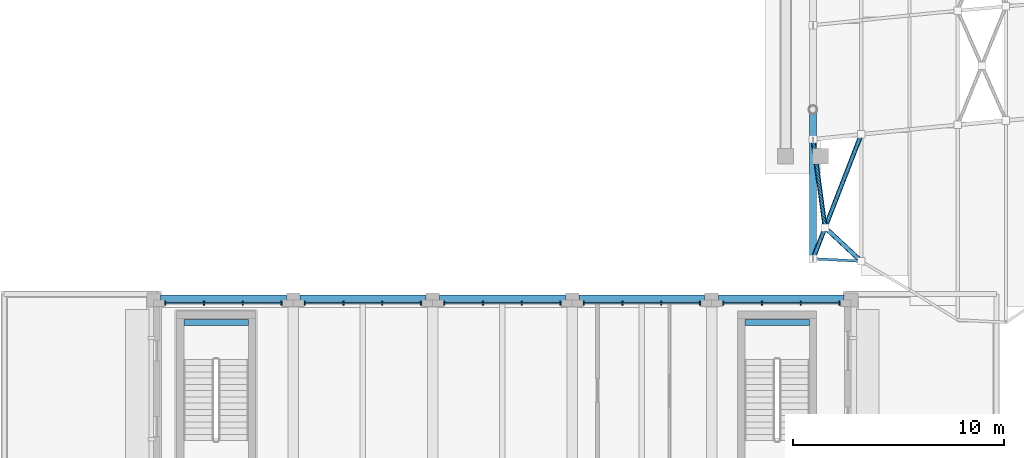
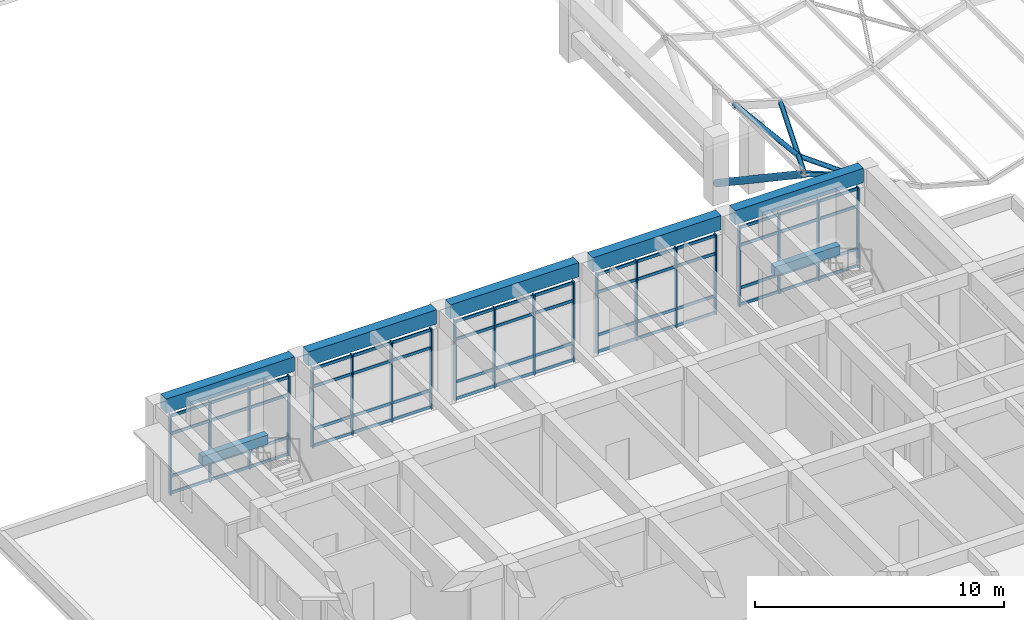
# One storey, part 9 of 79: 45 members, 7 beams, 5 elements without a shape of their own.
"""IFC4 building model written with IfcOpenShell, lengths in metres."""

import ifcopenshell
import ifcopenshell.guid

model = None  # the IFC model being written
_history = None  # IfcOwnerHistory: only IFC2X3 demands one
_inside = {}  # id of a spatial element -> (the spatial element, [elements in it])
_under = {}  # id of a project, library or spatial element -> (it, [spatial elements below it])
_declared = {}  # id of a project -> (the project, [libraries it declares])
_typed = {}  # id of a type object -> (the type object, [elements of that type])
_made_of = {}  # id of a material, layer set ... -> (it, [elements and type objects made of it])


def new_model(schema):
    """Start an empty IFC model of exactly this schema.

    Asked for "IFC4X3", IfcOpenShell would pick the latest addendum, in which some entities
    have other attributes; the version numbers below select the first issue.
    IFC2X3 requires an IfcOwnerHistory on every rooted entity: one is made here for all.
    """
    global model, _history
    if schema == "IFC4X3":
        model = ifcopenshell.file(schema_version=(4, 3, 0, 0))
    else:
        model = ifcopenshell.file(schema=schema)
    _inside.clear()
    _under.clear()
    _declared.clear()
    _typed.clear()
    _made_of.clear()
    _history = None
    if model.schema == "IFC2X3":
        org = make("IfcOrganization", Name="unknown")
        user = make(
            "IfcPersonAndOrganization",
            ThePerson=make("IfcPerson", FamilyName="unknown"),
            TheOrganization=org,
        )
        app = make(
            "IfcApplication",
            ApplicationDeveloper=org,
            Version="unknown",
            ApplicationFullName="unknown",
            ApplicationIdentifier="unknown",
        )
        _history = make(
            "IfcOwnerHistory",
            OwningUser=user,
            OwningApplication=app,
            ChangeAction="ADDED",
            CreationDate=0,
        )
    return model


def make(cls, **values):
    """One entity of the class cls with the attributes given. An attribute that is None is left unset."""
    return model.create_entity(
        cls, **{name: value for name, value in values.items() if value is not None}
    )


def rooted(cls, **values):
    """An entity with a GlobalId (a new one), such as an element, a storey or a relation."""
    return make(cls, GlobalId=ifcopenshell.guid.new(), OwnerHistory=_history, **values)


def si_unit(unit_type, name, prefix=None):
    """IfcSIUnit, for example si_unit("LENGTHUNIT", "METRE", prefix="MILLI")."""
    return make("IfcSIUnit", UnitType=unit_type, Prefix=prefix, Name=name)


def assignment(units):
    """IfcUnitAssignment: the units of a project."""
    return None if units is None else make("IfcUnitAssignment", Units=units)


def point(xyz):
    """IfcCartesianPoint."""
    return None if xyz is None else make("IfcCartesianPoint", Coordinates=xyz)


def direction(xyz):
    """IfcDirection."""
    return None if xyz is None else make("IfcDirection", DirectionRatios=xyz)


def frame(location, z_axis=None, x_axis=None):
    """IfcAxis2Placement3D, a coordinate frame: its origin and axes. An axis left out is left unset."""
    return make(
        "IfcAxis2Placement3D",
        Location=point(location),
        Axis=direction(z_axis),
        RefDirection=direction(x_axis),
    )


def frame_2d(location, x_axis=None):
    """IfcAxis2Placement2D, a coordinate frame in the plane: its origin and x axis."""
    return make(
        "IfcAxis2Placement2D", Location=point(location), RefDirection=direction(x_axis)
    )


def origin():
    """The frame at (0, 0, 0) with its axes left unset."""
    return frame((0.0, 0.0, 0.0))


def origin_2d():
    """The frame at (0, 0) in the plane with its x axis left unset."""
    return frame_2d((0.0, 0.0))


def place(relative_to, where):
    """IfcLocalPlacement: puts the frame where relative to a parent placement (None: the world)."""
    return make(
        "IfcLocalPlacement", PlacementRelTo=relative_to, RelativePlacement=where
    )


def context(
    kind, dimensions, precision=None, world=None, true_north=None, identifier=None
):
    """IfcGeometricRepresentationContext, for example the 3D "Model" context."""
    return make(
        "IfcGeometricRepresentationContext",
        ContextIdentifier=identifier,
        ContextType=kind,
        CoordinateSpaceDimension=dimensions,
        Precision=precision,
        WorldCoordinateSystem=world,
        TrueNorth=true_north,
    )


def subcontext(parent, identifier, kind, view, scale=None):
    """IfcGeometricRepresentationSubContext, for example "Body" below "Model"."""
    return make(
        "IfcGeometricRepresentationSubContext",
        ContextIdentifier=identifier,
        ContextType=kind,
        ParentContext=parent,
        TargetScale=scale,
        TargetView=view,
    )


def project(units=None, contexts=None):
    """IfcProject with its units and contexts."""
    return rooted(
        "IfcProject",
        Name="project",
        RepresentationContexts=contexts,
        UnitsInContext=assignment(units),
    )


def spatial(cls, under=None, at=None, **own):
    """A site, building, storey or space (cls), placed at a placement, below another one or the project."""
    s = rooted(cls, ObjectPlacement=at, **own)
    if under is not None:
        _under.setdefault(under.id(), (under, []))[1].append(s)
    return s


def profile(cls, at=None, kind="AREA", **sizes):
    """A parametric profile (cls). Its sizes go by their IFC names, for example OverallWidth=200.0."""
    return make(cls, ProfileType=kind, Position=at, **sizes)


def rectangle(**sizes):
    """IfcRectangleProfileDef."""
    return profile("IfcRectangleProfileDef", **sizes)


def hollow_rectangle(**sizes):
    """IfcRectangleHollowProfileDef."""
    return profile("IfcRectangleHollowProfileDef", **sizes)


def hollow_circle(**sizes):
    """IfcCircleHollowProfileDef."""
    return profile("IfcCircleHollowProfileDef", **sizes)


def extrude(swept, where, along, depth):
    """IfcExtrudedAreaSolid: the profile swept, set in the frame where, extruded along a direction by depth."""
    return make(
        "IfcExtrudedAreaSolid",
        SweptArea=swept,
        Position=where,
        ExtrudedDirection=direction(along),
        Depth=depth,
    )


def shape(context_of_items, identifier, shape_type, items):
    """IfcShapeRepresentation: the items that make up one representation, for example the "Body"."""
    return make(
        "IfcShapeRepresentation",
        ContextOfItems=context_of_items,
        RepresentationIdentifier=identifier,
        RepresentationType=shape_type,
        Items=items,
    )


def material(Name=None, Category=None):
    """IfcMaterial."""
    return make("IfcMaterial", Name=Name, Category=Category)


def layer(
    of_material, thickness, ventilated=None, Name=None, Category=None, Priority=None
):
    """IfcMaterialLayer: one layer of a wall or slab, of a material (None: an air gap)."""
    return make(
        "IfcMaterialLayer",
        Material=of_material,
        LayerThickness=thickness,
        IsVentilated=ventilated,
        Name=Name,
        Category=Category,
        Priority=Priority,
    )


def layer_set(layers, Name=None):
    """IfcMaterialLayerSet."""
    return make("IfcMaterialLayerSet", MaterialLayers=layers, LayerSetName=Name)


def material_profile(
    of_material, cross_section, Name=None, Category=None, Priority=None
):
    """IfcMaterialProfile: a cross section and its material."""
    return make(
        "IfcMaterialProfile",
        Name=Name,
        Material=of_material,
        Profile=cross_section,
        Priority=Priority,
        Category=Category,
    )


def profile_set(profiles, Name=None, composite=None):
    """IfcMaterialProfileSet."""
    return make(
        "IfcMaterialProfileSet",
        Name=Name,
        MaterialProfiles=profiles,
        CompositeProfile=composite,
    )


def made_of(thing, what):
    """Note that an element or type object is made of a material, layer set ...; save() writes the relation."""
    if what is not None:
        _made_of.setdefault(what.id(), (what, []))[1].append(thing)
    return thing


def type_object(cls, material=None, **own):
    """A type object (cls), such as IfcWallType, which elements share."""
    return made_of(rooted(cls, **own), material)


def element(
    cls,
    number,
    at=None,
    inside=None,
    cuts=None,
    type_object=None,
    material=None,
    context=None,
    identifier="Body",
    shape_type=None,
    held_by="IfcProductDefinitionShape",
    body=None,
    shapes=None,
    **own,
):
    """One element of the class cls, such as IfcWall. Its Tag is "e" and its number.

    at: its placement. inside: the storey or other place that contains it. cuts: it is an
    opening in that element (IfcRelVoidsElement). A single representation is given by context,
    identifier, shape_type and body (its items); several are given by shapes. held_by: the class
    of the entity that holds the representations. save() writes the other relations.
    """
    e = rooted(cls, Tag="e%d" % number, ObjectPlacement=at, **own)
    if body is not None:
        shapes = [shape(context, identifier, shape_type, body)]
    if shapes is not None:
        e.Representation = make(held_by, Representations=shapes)
    if inside is not None:
        _inside.setdefault(inside.id(), (inside, []))[1].append(e)
    if cuts is not None:
        rooted(
            "IfcRelVoidsElement", RelatingBuildingElement=cuts, RelatedOpeningElement=e
        )
    if type_object is not None:
        _typed.setdefault(type_object.id(), (type_object, []))[1].append(e)
    return made_of(e, material)


def aggregate(whole, parts):
    """IfcRelAggregates: a whole, such as a stair, and the parts it consists of."""
    return rooted("IfcRelAggregates", RelatingObject=whole, RelatedObjects=parts)


def save(model, path):
    """Write the relations noted so far, then the file.

    IfcRelAggregates (storeys below a building ...), IfcRelContainedInSpatialStructure (elements
    in a storey), IfcRelDefinesByType, IfcRelAssociatesMaterial and IfcRelDeclares: one each for
    every whole, place, type object, material and project.
    """
    for whole, parts in _under.values():
        aggregate(whole, parts)
    for where, things in _inside.values():
        rooted(
            "IfcRelContainedInSpatialStructure",
            RelatedElements=things,
            RelatingStructure=where,
        )
    for kind, things in _typed.values():
        rooted("IfcRelDefinesByType", RelatedObjects=things, RelatingType=kind)
    for what, things in _made_of.values():
        rooted("IfcRelAssociatesMaterial", RelatedObjects=things, RelatingMaterial=what)
    for by, libraries in _declared.values():
        rooted("IfcRelDeclares", RelatingContext=by, RelatedDefinitions=libraries)
    model.write(path)


model = new_model("IFC4")

# Units and contexts
model_context = context("Model", 3, precision=1e-05, world=origin(), true_north=direction((0.0, 1.0)))
body_context = subcontext(model_context, "Body", "Model", "MODEL_VIEW")
ifc_project = project(units=[si_unit("LENGTHUNIT", "METRE"), si_unit("AREAUNIT", "SQUARE_METRE"), si_unit("VOLUMEUNIT", "CUBIC_METRE"), si_unit("PLANEANGLEUNIT", "RADIAN"), si_unit("MASSUNIT", "GRAM", prefix="KILO")], contexts=[model_context])

# Site, building, storey
site_placement = place(None, origin())
site = spatial("IfcSite", under=ifc_project, at=site_placement, CompositionType="ELEMENT")
building_placement = place(site_placement, origin())
building = spatial("IfcBuilding", under=site, at=building_placement, Name="Kolvaren Faculty of Natural Sciences", CompositionType="ELEMENT")
storey_placement = place(building_placement, frame((0.0, 0.0, 10.199951171875)))
storey = spatial("IfcBuildingStorey", under=building, at=storey_placement, Name="L02", CompositionType="ELEMENT", Elevation=10.199951171875)

# Members
ifc_material_1 = material(Name="Structural steel EN 10210-1 S355J2H (white architectural finish)", Category="steel")
ifc_material_profile_1 = material_profile(ifc_material_1, hollow_rectangle(XDim=0.1201171875, YDim=0.219970703125, WallThickness=0.008056640625, at=origin_2d()), Name="RHS 220x120x8")
ifc_profile_set_1 = profile_set([ifc_material_profile_1], Name="Structural steel EN 10210-1 S355J2H (white architectural finish)")
member_type_1 = type_object("IfcMemberType", Name="CanopyWaveEdgeChord_RHS220", PredefinedType="RAFTER", material=ifc_profile_set_1)
member_1_placement = place(storey_placement, frame((38.0, 44.14990234375, 3.73974609375), z_axis=(0.939016623607, -0.048025887662, -0.340501534069), x_axis=(0.051078113424, 0.99869466121, 0.0)))
element("IfcMember", 1, at=member_1_placement, inside=storey, type_object=member_type_1, Name="Covered street wave canopy s-wave chord 1", PredefinedType="RAFTER", context=body_context, shape_type="SweptSolid", body=[
    extrude(hollow_rectangle(XDim=0.1201171875, YDim=0.219970703125, WallThickness=0.008056640625, at=origin_2d()), origin(), (0.0, 0.0, 1.0), 2.429931640625),
])
ifc_material_profile_2 = material_profile(ifc_material_1, hollow_circle(Radius=0.109619140625, WallThickness=0.010009765625, at=origin_2d()), Name="CHS 219.1x10")
ifc_profile_set_2 = profile_set([ifc_material_profile_2], Name="Structural steel EN 10210-1 S355J2H (white architectural finish)")
member_type_2 = type_object("IfcMemberType", Name="CanopyWindBrace_CHS219", PredefinedType="BRACE", material=ifc_profile_set_2)
member_2_placement = place(storey_placement, frame((38.0, 44.14990234375, 3.724609375), z_axis=(0.358435082925, 0.924467972813, -0.129935593939), x_axis=(-0.932372217803, 0.361499719875, 0.0)))
element("IfcMember", 2, at=member_2_placement, inside=storey, type_object=member_type_2, Name="Canopy X-brace continuous diagonal S1-1-A", PredefinedType="BRACE", context=body_context, shape_type="SweptSolid", body=[
    extrude(hollow_circle(Radius=0.109619140625, WallThickness=0.010009765625, at=origin_2d()), origin(), (0.0, 0.0, 1.0), 6.36572265625),
])
member_3_placement = place(storey_placement, frame((38.0, 49.800048828125, 3.724609375), z_axis=(0.135113644165, -0.989619275637, -0.048969301073), x_axis=(0.990807963688, 0.135275936855, 0.0)))
element("IfcMember", 3, at=member_3_placement, inside=storey, type_object=member_type_2, Name="Canopy X-brace split diagonal S1-1-B1", PredefinedType="BRACE", context=body_context, shape_type="SweptSolid", body=[
    extrude(hollow_circle(Radius=0.109619140625, WallThickness=0.010009765625, at=origin_2d()), origin(), (0.0, 0.0, 1.0), 4.222900390625),
])
member_4_placement = place(storey_placement, frame((38.570556640625, 45.62109375, 3.517822265625), z_axis=(0.708432505299, -0.657389786626, -0.25683078841), x_axis=(0.680206366391, 0.733020667595, 0.0)))
element("IfcMember", 4, at=member_4_placement, inside=storey, type_object=member_type_2, Name="Canopy X-brace split diagonal S1-1-B2", PredefinedType="BRACE", context=body_context, shape_type="SweptSolid", body=[
    extrude(hollow_circle(Radius=0.109619140625, WallThickness=0.010009765625, at=origin_2d()), origin(), (0.0, 0.0, 1.0), 2.41552734375),
])

# Beams
ifc_material_2 = material(Name="Concrete C40/50", Category="concrete")
ifc_material_profile_3 = material_profile(ifc_material_2, rectangle(XDim=0.300048828125, YDim=0.449951171875, at=origin_2d()), Name="RC LNT 300x450")
ifc_profile_set_3 = profile_set([ifc_material_profile_3], Name="Concrete C40/50")
beam_type_1 = type_object("IfcBeamType", Name="CoreCouplingLintel_300x450", PredefinedType="LINTEL", material=ifc_profile_set_3)
beam_1_placement = place(storey_placement, frame((34.77490234375, 41.1298828125, 1.97509765625), z_axis=(1.0, 0.0, 0.0), x_axis=(0.0, 1.0, 0.0)))
element("IfcBeam", 5, at=beam_1_placement, inside=storey, type_object=beam_type_1, Name="L02 ST-4 half-landing support lintel", PredefinedType="LINTEL", context=body_context, shape_type="SweptSolid", body=[
    extrude(rectangle(XDim=0.300048828125, YDim=0.449951171875, at=origin_2d()), origin(), (0.0, 0.0, 1.0), 3.050048828125),
])
beam_2_placement = place(storey_placement, frame((8.22509765625, 41.1298828125, 1.97509765625), z_axis=(1.0, 0.0, 0.0), x_axis=(0.0, 1.0, 0.0)))
element("IfcBeam", 6, at=beam_2_placement, inside=storey, type_object=beam_type_1, Name="L02 ST-8 half-landing support lintel", PredefinedType="LINTEL", context=body_context, shape_type="SweptSolid", body=[
    extrude(rectangle(XDim=0.300048828125, YDim=0.449951171875, at=origin_2d()), origin(), (0.0, 0.0, 1.0), 3.0498046875),
])

# Curtain wall, members
ifc_material_3 = material(Name="Thermally broken anodised aluminium framing", Category="aluminium")
ifc_layer = layer(ifc_material_3, 0.179931640625)
ifc_layer_set = layer_set([ifc_layer], Name="Thermally broken anodised aluminium framing")
curtain_wall_type = type_object("IfcCurtainWallType", Name="CommonsCurtainWall_CW02", PredefinedType="NOTDEFINED", material=ifc_layer_set)
curtain_wall_1_placement = place(storey_placement, origin())
curtain_wall_1 = element("IfcCurtainWall", 7, at=curtain_wall_1_placement, inside=storey, type_object=curtain_wall_type, Name="L02 unitised curtain wall CW-02 (CW-L02-071)", PredefinedType="NOTDEFINED")
ifc_material_profile_4 = material_profile(ifc_material_3, rectangle(XDim=0.06005859375, YDim=0.179931640625, at=origin_2d()), Name="ALU MUL 60x180")
ifc_profile_set_4 = profile_set([ifc_material_profile_4], Name="Thermally broken anodised aluminium framing")
member_type_3 = type_object("IfcMemberType", Name="CurtainMullion_60x180", PredefinedType="MULLION", material=ifc_profile_set_4)
member_5_placement = place(storey_placement, frame((7.35009765625, 42.050048828125, 0.0), z_axis=(0.0, 0.0, 1.0), x_axis=(1.0, 0.0, 0.0)))
member_5 = element("IfcMember", 8, at=member_5_placement, type_object=member_type_3, Name="CW-L02-071 vertical mullion 1", PredefinedType="MULLION", context=body_context, shape_type="SweptSolid", body=[
    extrude(rectangle(XDim=0.06005859375, YDim=0.179931640625, at=origin_2d()), origin(), (0.0, 0.0, 1.0), 3.93505859375),
])
member_6_placement = place(storey_placement, frame((9.183349609375, 42.050048828125, 0.0), z_axis=(0.0, 0.0, 1.0), x_axis=(1.0, 0.0, 0.0)))
member_6 = element("IfcMember", 9, at=member_6_placement, type_object=member_type_3, Name="CW-L02-071 vertical mullion 2", PredefinedType="MULLION", context=body_context, shape_type="SweptSolid", body=[
    extrude(rectangle(XDim=0.06005859375, YDim=0.179931640625, at=origin_2d()), origin(), (0.0, 0.0, 1.0), 3.93505859375),
])
member_7_placement = place(storey_placement, frame((11.0166015625, 42.050048828125, 0.0), z_axis=(0.0, 0.0, 1.0), x_axis=(1.0, 0.0, 0.0)))
member_7 = element("IfcMember", 10, at=member_7_placement, type_object=member_type_3, Name="CW-L02-071 vertical mullion 3", PredefinedType="MULLION", context=body_context, shape_type="SweptSolid", body=[
    extrude(rectangle(XDim=0.06005859375, YDim=0.179931640625, at=origin_2d()), origin(), (0.0, 0.0, 1.0), 3.93505859375),
])
member_8_placement = place(storey_placement, frame((12.85009765625, 42.050048828125, 0.0), z_axis=(0.0, 0.0, 1.0), x_axis=(1.0, 0.0, 0.0)))
member_8 = element("IfcMember", 11, at=member_8_placement, type_object=member_type_3, Name="CW-L02-071 vertical mullion 4", PredefinedType="MULLION", context=body_context, shape_type="SweptSolid", body=[
    extrude(rectangle(XDim=0.06005859375, YDim=0.179931640625, at=origin_2d()), origin(), (0.0, 0.0, 1.0), 3.93505859375),
])

curtain_wall_2_placement = place(storey_placement, origin())
curtain_wall_2 = element("IfcCurtainWall", 12, at=curtain_wall_2_placement, inside=storey, type_object=curtain_wall_type, Name="L02 unitised curtain wall CW-02 (CW-L02-072)", PredefinedType="NOTDEFINED")
member_9_placement = place(storey_placement, frame((13.949951171875, 42.050048828125, 0.0), z_axis=(0.0, 0.0, 1.0), x_axis=(1.0, 0.0, 0.0)))
member_9 = element("IfcMember", 13, at=member_9_placement, type_object=member_type_3, Name="CW-L02-072 vertical mullion 1", PredefinedType="MULLION", context=body_context, shape_type="SweptSolid", body=[
    extrude(rectangle(XDim=0.06005859375, YDim=0.179931640625, at=origin_2d()), origin(), (0.0, 0.0, 1.0), 3.93505859375),
])
member_10_placement = place(storey_placement, frame((15.783203125, 42.050048828125, 0.0), z_axis=(0.0, 0.0, 1.0), x_axis=(1.0, 0.0, 0.0)))
member_10 = element("IfcMember", 14, at=member_10_placement, type_object=member_type_3, Name="CW-L02-072 vertical mullion 2", PredefinedType="MULLION", context=body_context, shape_type="SweptSolid", body=[
    extrude(rectangle(XDim=0.06005859375, YDim=0.179931640625, at=origin_2d()), origin(), (0.0, 0.0, 1.0), 3.93505859375),
])
member_11_placement = place(storey_placement, frame((17.61669921875, 42.050048828125, 0.0), z_axis=(0.0, 0.0, 1.0), x_axis=(1.0, 0.0, 0.0)))
member_11 = element("IfcMember", 15, at=member_11_placement, type_object=member_type_3, Name="CW-L02-072 vertical mullion 3", PredefinedType="MULLION", context=body_context, shape_type="SweptSolid", body=[
    extrude(rectangle(XDim=0.06005859375, YDim=0.179931640625, at=origin_2d()), origin(), (0.0, 0.0, 1.0), 3.93505859375),
])
member_12_placement = place(storey_placement, frame((19.449951171875, 42.050048828125, 0.0), z_axis=(0.0, 0.0, 1.0), x_axis=(1.0, 0.0, 0.0)))
member_12 = element("IfcMember", 16, at=member_12_placement, type_object=member_type_3, Name="CW-L02-072 vertical mullion 4", PredefinedType="MULLION", context=body_context, shape_type="SweptSolid", body=[
    extrude(rectangle(XDim=0.06005859375, YDim=0.179931640625, at=origin_2d()), origin(), (0.0, 0.0, 1.0), 3.93505859375),
])

curtain_wall_3_placement = place(storey_placement, origin())
curtain_wall_3 = element("IfcCurtainWall", 17, at=curtain_wall_3_placement, inside=storey, type_object=curtain_wall_type, Name="L02 unitised curtain wall CW-02 (CW-L02-073)", PredefinedType="NOTDEFINED")
member_13_placement = place(storey_placement, frame((20.550048828125, 42.050048828125, 0.0), z_axis=(0.0, 0.0, 1.0), x_axis=(1.0, 0.0, 0.0)))
member_13 = element("IfcMember", 18, at=member_13_placement, type_object=member_type_3, Name="CW-L02-073 vertical mullion 1", PredefinedType="MULLION", context=body_context, shape_type="SweptSolid", body=[
    extrude(rectangle(XDim=0.06005859375, YDim=0.179931640625, at=origin_2d()), origin(), (0.0, 0.0, 1.0), 3.93505859375),
])
member_14_placement = place(storey_placement, frame((22.38330078125, 42.050048828125, 0.0), z_axis=(0.0, 0.0, 1.0), x_axis=(1.0, 0.0, 0.0)))
member_14 = element("IfcMember", 19, at=member_14_placement, type_object=member_type_3, Name="CW-L02-073 vertical mullion 2", PredefinedType="MULLION", context=body_context, shape_type="SweptSolid", body=[
    extrude(rectangle(XDim=0.06005859375, YDim=0.179931640625, at=origin_2d()), origin(), (0.0, 0.0, 1.0), 3.93505859375),
])
member_15_placement = place(storey_placement, frame((24.216796875, 42.050048828125, 0.0), z_axis=(0.0, 0.0, 1.0), x_axis=(1.0, 0.0, 0.0)))
member_15 = element("IfcMember", 20, at=member_15_placement, type_object=member_type_3, Name="CW-L02-073 vertical mullion 3", PredefinedType="MULLION", context=body_context, shape_type="SweptSolid", body=[
    extrude(rectangle(XDim=0.06005859375, YDim=0.179931640625, at=origin_2d()), origin(), (0.0, 0.0, 1.0), 3.93505859375),
])
member_16_placement = place(storey_placement, frame((26.050048828125, 42.050048828125, 0.0), z_axis=(0.0, 0.0, 1.0), x_axis=(1.0, 0.0, 0.0)))
member_16 = element("IfcMember", 21, at=member_16_placement, type_object=member_type_3, Name="CW-L02-073 vertical mullion 4", PredefinedType="MULLION", context=body_context, shape_type="SweptSolid", body=[
    extrude(rectangle(XDim=0.06005859375, YDim=0.179931640625, at=origin_2d()), origin(), (0.0, 0.0, 1.0), 3.93505859375),
])

curtain_wall_4_placement = place(storey_placement, origin())
curtain_wall_4 = element("IfcCurtainWall", 22, at=curtain_wall_4_placement, inside=storey, type_object=curtain_wall_type, Name="L02 unitised curtain wall CW-02 (CW-L02-074)", PredefinedType="NOTDEFINED")
member_17_placement = place(storey_placement, frame((27.14990234375, 42.050048828125, 0.0), z_axis=(0.0, 0.0, 1.0), x_axis=(1.0, 0.0, 0.0)))
member_17 = element("IfcMember", 23, at=member_17_placement, type_object=member_type_3, Name="CW-L02-074 vertical mullion 1", PredefinedType="MULLION", context=body_context, shape_type="SweptSolid", body=[
    extrude(rectangle(XDim=0.06005859375, YDim=0.179931640625, at=origin_2d()), origin(), (0.0, 0.0, 1.0), 3.93505859375),
])
member_18_placement = place(storey_placement, frame((28.9833984375, 42.050048828125, 0.0), z_axis=(0.0, 0.0, 1.0), x_axis=(1.0, 0.0, 0.0)))
member_18 = element("IfcMember", 24, at=member_18_placement, type_object=member_type_3, Name="CW-L02-074 vertical mullion 2", PredefinedType="MULLION", context=body_context, shape_type="SweptSolid", body=[
    extrude(rectangle(XDim=0.06005859375, YDim=0.179931640625, at=origin_2d()), origin(), (0.0, 0.0, 1.0), 3.93505859375),
])
member_19_placement = place(storey_placement, frame((30.816650390625, 42.050048828125, 0.0), z_axis=(0.0, 0.0, 1.0), x_axis=(1.0, 0.0, 0.0)))
member_19 = element("IfcMember", 25, at=member_19_placement, type_object=member_type_3, Name="CW-L02-074 vertical mullion 3", PredefinedType="MULLION", context=body_context, shape_type="SweptSolid", body=[
    extrude(rectangle(XDim=0.06005859375, YDim=0.179931640625, at=origin_2d()), origin(), (0.0, 0.0, 1.0), 3.93505859375),
])
member_20_placement = place(storey_placement, frame((32.64990234375, 42.050048828125, 0.0), z_axis=(0.0, 0.0, 1.0), x_axis=(1.0, 0.0, 0.0)))
member_20 = element("IfcMember", 26, at=member_20_placement, type_object=member_type_3, Name="CW-L02-074 vertical mullion 4", PredefinedType="MULLION", context=body_context, shape_type="SweptSolid", body=[
    extrude(rectangle(XDim=0.06005859375, YDim=0.179931640625, at=origin_2d()), origin(), (0.0, 0.0, 1.0), 3.93505859375),
])

curtain_wall_5_placement = place(storey_placement, origin())
curtain_wall_5 = element("IfcCurtainWall", 27, at=curtain_wall_5_placement, inside=storey, type_object=curtain_wall_type, Name="L02 unitised curtain wall CW-02 (CW-L02-075)", PredefinedType="NOTDEFINED")
member_21_placement = place(storey_placement, frame((33.75, 42.050048828125, 0.0), z_axis=(0.0, 0.0, 1.0), x_axis=(1.0, 0.0, 0.0)))
member_21 = element("IfcMember", 28, at=member_21_placement, type_object=member_type_3, Name="CW-L02-075 vertical mullion 1", PredefinedType="MULLION", context=body_context, shape_type="SweptSolid", body=[
    extrude(rectangle(XDim=0.06005859375, YDim=0.179931640625, at=origin_2d()), origin(), (0.0, 0.0, 1.0), 3.93505859375),
])
member_22_placement = place(storey_placement, frame((35.583251953125, 42.050048828125, 0.0), z_axis=(0.0, 0.0, 1.0), x_axis=(1.0, 0.0, 0.0)))
member_22 = element("IfcMember", 29, at=member_22_placement, type_object=member_type_3, Name="CW-L02-075 vertical mullion 2", PredefinedType="MULLION", context=body_context, shape_type="SweptSolid", body=[
    extrude(rectangle(XDim=0.06005859375, YDim=0.179931640625, at=origin_2d()), origin(), (0.0, 0.0, 1.0), 3.93505859375),
])
member_23_placement = place(storey_placement, frame((37.416748046875, 42.050048828125, 0.0), z_axis=(0.0, 0.0, 1.0), x_axis=(1.0, 0.0, 0.0)))
member_23 = element("IfcMember", 30, at=member_23_placement, type_object=member_type_3, Name="CW-L02-075 vertical mullion 3", PredefinedType="MULLION", context=body_context, shape_type="SweptSolid", body=[
    extrude(rectangle(XDim=0.06005859375, YDim=0.179931640625, at=origin_2d()), origin(), (0.0, 0.0, 1.0), 3.93505859375),
])
member_24_placement = place(storey_placement, frame((39.25, 42.050048828125, 0.0), z_axis=(0.0, 0.0, 1.0), x_axis=(1.0, 0.0, 0.0)))
member_24 = element("IfcMember", 31, at=member_24_placement, type_object=member_type_3, Name="CW-L02-075 vertical mullion 4", PredefinedType="MULLION", context=body_context, shape_type="SweptSolid", body=[
    extrude(rectangle(XDim=0.06005859375, YDim=0.179931640625, at=origin_2d()), origin(), (0.0, 0.0, 1.0), 3.93505859375),
])

# Member
ifc_material_profile_5 = material_profile(ifc_material_3, rectangle(XDim=0.06005859375, YDim=0.139892578125, at=origin_2d()), Name="ALU TRN 60x140")
ifc_profile_set_5 = profile_set([ifc_material_profile_5], Name="Thermally broken anodised aluminium framing")
member_type_4 = type_object("IfcMemberType", Name="CurtainTransom_60x140", PredefinedType="USERDEFINED", material=ifc_profile_set_5)
member_25_placement = place(storey_placement, frame((7.35009765625, 42.050048828125, 0.080078125), z_axis=(1.0, 0.0, 0.0), x_axis=(0.0, 1.0, 0.0)))
member_25 = element("IfcMember", 32, at=member_25_placement, type_object=member_type_4, Name="CW-L02-071 horizontal transom 1", ObjectType="TRANSOM", PredefinedType="USERDEFINED", context=body_context, shape_type="SweptSolid", body=[
    extrude(rectangle(XDim=0.06005859375, YDim=0.139892578125, at=origin_2d()), origin(), (0.0, 0.0, 1.0), 5.5),
])

member_26_placement = place(storey_placement, frame((7.35009765625, 42.050048828125, 0.900146484375), z_axis=(1.0, 0.0, 0.0), x_axis=(0.0, 1.0, 0.0)))
member_26 = element("IfcMember", 33, at=member_26_placement, type_object=member_type_4, Name="CW-L02-071 horizontal transom 2", ObjectType="TRANSOM", PredefinedType="USERDEFINED", context=body_context, shape_type="SweptSolid", body=[
    extrude(rectangle(XDim=0.06005859375, YDim=0.139892578125, at=origin_2d()), origin(), (0.0, 0.0, 1.0), 5.5),
])

member_27_placement = place(storey_placement, frame((7.35009765625, 42.050048828125, 2.985107421875), z_axis=(1.0, 0.0, 0.0), x_axis=(0.0, 1.0, 0.0)))
member_27 = element("IfcMember", 34, at=member_27_placement, type_object=member_type_4, Name="CW-L02-071 horizontal transom 3", ObjectType="TRANSOM", PredefinedType="USERDEFINED", context=body_context, shape_type="SweptSolid", body=[
    extrude(rectangle(XDim=0.06005859375, YDim=0.139892578125, at=origin_2d()), origin(), (0.0, 0.0, 1.0), 5.5),
])

member_28_placement = place(storey_placement, frame((7.35009765625, 42.050048828125, 3.85498046875), z_axis=(1.0, 0.0, 0.0), x_axis=(0.0, 1.0, 0.0)))
member_28 = element("IfcMember", 35, at=member_28_placement, type_object=member_type_4, Name="CW-L02-071 horizontal transom 4", ObjectType="TRANSOM", PredefinedType="USERDEFINED", context=body_context, shape_type="SweptSolid", body=[
    extrude(rectangle(XDim=0.06005859375, YDim=0.139892578125, at=origin_2d()), origin(), (0.0, 0.0, 1.0), 5.5),
])

aggregate(curtain_wall_1, [member_5, member_6, member_7, member_8, member_25, member_26, member_27, member_28])

member_29_placement = place(storey_placement, frame((13.949951171875, 42.050048828125, 0.080078125), z_axis=(1.0, 0.0, 0.0), x_axis=(0.0, 1.0, 0.0)))
member_29 = element("IfcMember", 36, at=member_29_placement, type_object=member_type_4, Name="CW-L02-072 horizontal transom 1", ObjectType="TRANSOM", PredefinedType="USERDEFINED", context=body_context, shape_type="SweptSolid", body=[
    extrude(rectangle(XDim=0.06005859375, YDim=0.139892578125, at=origin_2d()), origin(), (0.0, 0.0, 1.0), 5.5),
])

member_30_placement = place(storey_placement, frame((13.949951171875, 42.050048828125, 0.900146484375), z_axis=(1.0, 0.0, 0.0), x_axis=(0.0, 1.0, 0.0)))
member_30 = element("IfcMember", 37, at=member_30_placement, type_object=member_type_4, Name="CW-L02-072 horizontal transom 2", ObjectType="TRANSOM", PredefinedType="USERDEFINED", context=body_context, shape_type="SweptSolid", body=[
    extrude(rectangle(XDim=0.06005859375, YDim=0.139892578125, at=origin_2d()), origin(), (0.0, 0.0, 1.0), 5.5),
])

member_31_placement = place(storey_placement, frame((13.949951171875, 42.050048828125, 2.985107421875), z_axis=(1.0, 0.0, 0.0), x_axis=(0.0, 1.0, 0.0)))
member_31 = element("IfcMember", 38, at=member_31_placement, type_object=member_type_4, Name="CW-L02-072 horizontal transom 3", ObjectType="TRANSOM", PredefinedType="USERDEFINED", context=body_context, shape_type="SweptSolid", body=[
    extrude(rectangle(XDim=0.06005859375, YDim=0.139892578125, at=origin_2d()), origin(), (0.0, 0.0, 1.0), 5.5),
])

member_32_placement = place(storey_placement, frame((13.949951171875, 42.050048828125, 3.85498046875), z_axis=(1.0, 0.0, 0.0), x_axis=(0.0, 1.0, 0.0)))
member_32 = element("IfcMember", 39, at=member_32_placement, type_object=member_type_4, Name="CW-L02-072 horizontal transom 4", ObjectType="TRANSOM", PredefinedType="USERDEFINED", context=body_context, shape_type="SweptSolid", body=[
    extrude(rectangle(XDim=0.06005859375, YDim=0.139892578125, at=origin_2d()), origin(), (0.0, 0.0, 1.0), 5.5),
])

aggregate(curtain_wall_2, [member_9, member_10, member_11, member_12, member_29, member_30, member_31, member_32])

member_33_placement = place(storey_placement, frame((20.550048828125, 42.050048828125, 0.080078125), z_axis=(1.0, 0.0, 0.0), x_axis=(0.0, 1.0, 0.0)))
member_33 = element("IfcMember", 40, at=member_33_placement, type_object=member_type_4, Name="CW-L02-073 horizontal transom 1", ObjectType="TRANSOM", PredefinedType="USERDEFINED", context=body_context, shape_type="SweptSolid", body=[
    extrude(rectangle(XDim=0.06005859375, YDim=0.139892578125, at=origin_2d()), origin(), (0.0, 0.0, 1.0), 5.5),
])

member_34_placement = place(storey_placement, frame((20.550048828125, 42.050048828125, 0.900146484375), z_axis=(1.0, 0.0, 0.0), x_axis=(0.0, 1.0, 0.0)))
member_34 = element("IfcMember", 41, at=member_34_placement, type_object=member_type_4, Name="CW-L02-073 horizontal transom 2", ObjectType="TRANSOM", PredefinedType="USERDEFINED", context=body_context, shape_type="SweptSolid", body=[
    extrude(rectangle(XDim=0.06005859375, YDim=0.139892578125, at=origin_2d()), origin(), (0.0, 0.0, 1.0), 5.5),
])

member_35_placement = place(storey_placement, frame((20.550048828125, 42.050048828125, 2.985107421875), z_axis=(1.0, 0.0, 0.0), x_axis=(0.0, 1.0, 0.0)))
member_35 = element("IfcMember", 42, at=member_35_placement, type_object=member_type_4, Name="CW-L02-073 horizontal transom 3", ObjectType="TRANSOM", PredefinedType="USERDEFINED", context=body_context, shape_type="SweptSolid", body=[
    extrude(rectangle(XDim=0.06005859375, YDim=0.139892578125, at=origin_2d()), origin(), (0.0, 0.0, 1.0), 5.5),
])

member_36_placement = place(storey_placement, frame((20.550048828125, 42.050048828125, 3.85498046875), z_axis=(1.0, 0.0, 0.0), x_axis=(0.0, 1.0, 0.0)))
member_36 = element("IfcMember", 43, at=member_36_placement, type_object=member_type_4, Name="CW-L02-073 horizontal transom 4", ObjectType="TRANSOM", PredefinedType="USERDEFINED", context=body_context, shape_type="SweptSolid", body=[
    extrude(rectangle(XDim=0.06005859375, YDim=0.139892578125, at=origin_2d()), origin(), (0.0, 0.0, 1.0), 5.5),
])

aggregate(curtain_wall_3, [member_13, member_14, member_15, member_16, member_33, member_34, member_35, member_36])

member_37_placement = place(storey_placement, frame((27.14990234375, 42.050048828125, 0.080078125), z_axis=(1.0, 0.0, 0.0), x_axis=(0.0, 1.0, 0.0)))
member_37 = element("IfcMember", 44, at=member_37_placement, type_object=member_type_4, Name="CW-L02-074 horizontal transom 1", ObjectType="TRANSOM", PredefinedType="USERDEFINED", context=body_context, shape_type="SweptSolid", body=[
    extrude(rectangle(XDim=0.06005859375, YDim=0.139892578125, at=origin_2d()), origin(), (0.0, 0.0, 1.0), 5.5),
])

member_38_placement = place(storey_placement, frame((27.14990234375, 42.050048828125, 0.900146484375), z_axis=(1.0, 0.0, 0.0), x_axis=(0.0, 1.0, 0.0)))
member_38 = element("IfcMember", 45, at=member_38_placement, type_object=member_type_4, Name="CW-L02-074 horizontal transom 2", ObjectType="TRANSOM", PredefinedType="USERDEFINED", context=body_context, shape_type="SweptSolid", body=[
    extrude(rectangle(XDim=0.06005859375, YDim=0.139892578125, at=origin_2d()), origin(), (0.0, 0.0, 1.0), 5.5),
])

member_39_placement = place(storey_placement, frame((27.14990234375, 42.050048828125, 2.985107421875), z_axis=(1.0, 0.0, 0.0), x_axis=(0.0, 1.0, 0.0)))
member_39 = element("IfcMember", 46, at=member_39_placement, type_object=member_type_4, Name="CW-L02-074 horizontal transom 3", ObjectType="TRANSOM", PredefinedType="USERDEFINED", context=body_context, shape_type="SweptSolid", body=[
    extrude(rectangle(XDim=0.06005859375, YDim=0.139892578125, at=origin_2d()), origin(), (0.0, 0.0, 1.0), 5.5),
])

member_40_placement = place(storey_placement, frame((27.14990234375, 42.050048828125, 3.85498046875), z_axis=(1.0, 0.0, 0.0), x_axis=(0.0, 1.0, 0.0)))
member_40 = element("IfcMember", 47, at=member_40_placement, type_object=member_type_4, Name="CW-L02-074 horizontal transom 4", ObjectType="TRANSOM", PredefinedType="USERDEFINED", context=body_context, shape_type="SweptSolid", body=[
    extrude(rectangle(XDim=0.06005859375, YDim=0.139892578125, at=origin_2d()), origin(), (0.0, 0.0, 1.0), 5.5),
])

aggregate(curtain_wall_4, [member_17, member_18, member_19, member_20, member_37, member_38, member_39, member_40])

member_41_placement = place(storey_placement, frame((33.75, 42.050048828125, 0.080078125), z_axis=(1.0, 0.0, 0.0), x_axis=(0.0, 1.0, 0.0)))
member_41 = element("IfcMember", 48, at=member_41_placement, type_object=member_type_4, Name="CW-L02-075 horizontal transom 1", ObjectType="TRANSOM", PredefinedType="USERDEFINED", context=body_context, shape_type="SweptSolid", body=[
    extrude(rectangle(XDim=0.06005859375, YDim=0.139892578125, at=origin_2d()), origin(), (0.0, 0.0, 1.0), 5.5),
])

member_42_placement = place(storey_placement, frame((33.75, 42.050048828125, 0.900146484375), z_axis=(1.0, 0.0, 0.0), x_axis=(0.0, 1.0, 0.0)))
member_42 = element("IfcMember", 49, at=member_42_placement, type_object=member_type_4, Name="CW-L02-075 horizontal transom 2", ObjectType="TRANSOM", PredefinedType="USERDEFINED", context=body_context, shape_type="SweptSolid", body=[
    extrude(rectangle(XDim=0.06005859375, YDim=0.139892578125, at=origin_2d()), origin(), (0.0, 0.0, 1.0), 5.5),
])

member_43_placement = place(storey_placement, frame((33.75, 42.050048828125, 2.985107421875), z_axis=(1.0, 0.0, 0.0), x_axis=(0.0, 1.0, 0.0)))
member_43 = element("IfcMember", 50, at=member_43_placement, type_object=member_type_4, Name="CW-L02-075 horizontal transom 3", ObjectType="TRANSOM", PredefinedType="USERDEFINED", context=body_context, shape_type="SweptSolid", body=[
    extrude(rectangle(XDim=0.06005859375, YDim=0.139892578125, at=origin_2d()), origin(), (0.0, 0.0, 1.0), 5.5),
])

member_44_placement = place(storey_placement, frame((33.75, 42.050048828125, 3.85498046875), z_axis=(1.0, 0.0, 0.0), x_axis=(0.0, 1.0, 0.0)))
member_44 = element("IfcMember", 51, at=member_44_placement, type_object=member_type_4, Name="CW-L02-075 horizontal transom 4", ObjectType="TRANSOM", PredefinedType="USERDEFINED", context=body_context, shape_type="SweptSolid", body=[
    extrude(rectangle(XDim=0.06005859375, YDim=0.139892578125, at=origin_2d()), origin(), (0.0, 0.0, 1.0), 5.5),
])

aggregate(curtain_wall_5, [member_21, member_22, member_23, member_24, member_41, member_42, member_43, member_44])

# Beams
ifc_material_4 = material(Name="Concrete C35/45", Category="concrete")
ifc_material_profile_6 = material_profile(ifc_material_4, rectangle(XDim=0.449951171875, YDim=0.699951171875, at=origin_2d()), Name="RC SP 450x700")
ifc_profile_set_6 = profile_set([ifc_material_profile_6], Name="Concrete C35/45")
beam_type_2 = type_object("IfcBeamType", Name="PerimeterSpandrel_450x700", PredefinedType="SPANDREL", material=ifc_profile_set_6)
for number, where, z_axis, x_axis, name in (
    (52, (7.125, 42.199951171875, 4.449951171875), (1.0, 0.0, 0.0), (0.0, 1.0, 0.0), "L02 spandrel SP-70 on grid F"),
    (53, (13.72509765625, 42.199951171875, 4.449951171875), (1.0, 0.0, 0.0), (0.0, 1.0, 0.0), "L02 spandrel SP-70 on grid F"),
    (54, (20.324951171875, 42.199951171875, 4.449951171875), (1.0, 0.0, 0.0), (0.0, 1.0, 0.0), "L02 spandrel SP-70 on grid F"),
    (55, (26.925048828125, 42.199951171875, 4.449951171875), (1.0, 0.0, 0.0), (0.0, 1.0, 0.0), "L02 spandrel SP-70 on grid F"),
):
    element("IfcBeam", number, at=place(storey_placement, frame(where, z_axis=z_axis, x_axis=x_axis)), inside=storey, type_object=beam_type_2, Name=name, PredefinedType="SPANDREL", context=body_context, shape_type="SweptSolid", body=[
        extrude(rectangle(XDim=0.449951171875, YDim=0.699951171875, at=origin_2d()), origin(), (0.0, 0.0, 1.0), 5.949951171875),
    ])
beam_3_placement = place(storey_placement, frame((33.52490234375, 42.199951171875, 4.449951171875), z_axis=(1.0, 0.0, 0.0), x_axis=(0.0, 1.0, 0.0)))
element("IfcBeam", 56, at=beam_3_placement, inside=storey, type_object=beam_type_2, Name="L02 spandrel SP-70 on grid F", PredefinedType="SPANDREL", context=body_context, shape_type="SweptSolid", body=[
    extrude(rectangle(XDim=0.449951171875, YDim=0.699951171875, at=origin_2d()), origin(), (0.0, 0.0, 1.0), 5.9501953125),
])

# Member
ifc_material_profile_7 = material_profile(ifc_material_1, hollow_circle(Radius=0.161865234375, WallThickness=0.012451171875, at=origin_2d()), Name="CHS 323.9x12.5")
ifc_profile_set_7 = profile_set([ifc_material_profile_7], Name="Structural steel EN 10210-1 S355J2H (white architectural finish)")
member_type_5 = type_object("IfcMemberType", Name="TreeBranchPortal_CHS324", PredefinedType="STRUT", material=ifc_profile_set_7)
member_45_placement = place(storey_placement, frame((38.0, 51.199951171875, -1.0), z_axis=(0.0, -0.830711309173, 0.556703440632), x_axis=(1.0, 0.0, 0.0)))
element("IfcMember", 57, at=member_45_placement, inside=storey, type_object=member_type_5, Name="Covered street canopy portal branch W-S-EAVE", PredefinedType="STRUT", context=body_context, shape_type="SweptSolid", body=[
    extrude(hollow_circle(Radius=0.161865234375, WallThickness=0.012451171875, at=origin_2d()), origin(), (0.0, 0.0, 1.0), 8.48681640625),
])

save(model, "model.ifc")
